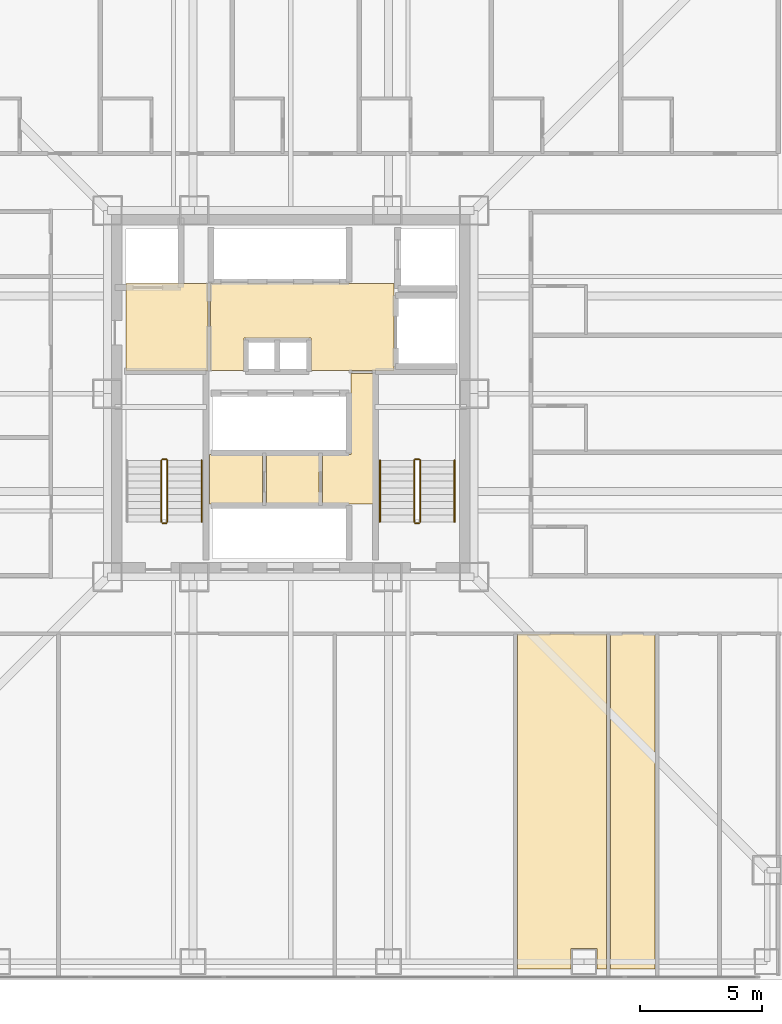
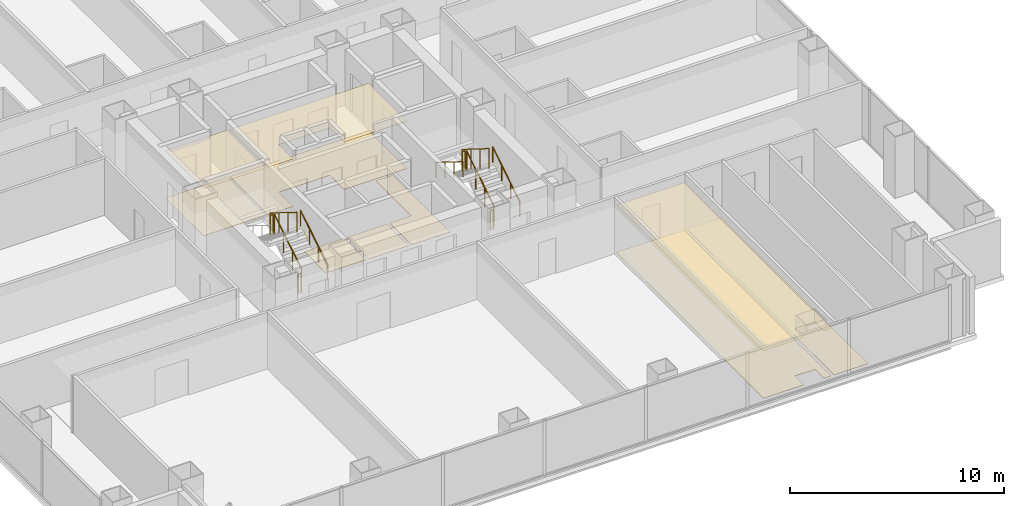
# One storey, part 15 of 16: 11 railings, 10 coverings.
"""IFC4 building model written with IfcOpenShell, lengths in metres."""

import ifcopenshell
import ifcopenshell.guid

model = None  # the IFC model being written
_history = None  # IfcOwnerHistory: only IFC2X3 demands one
_inside = {}  # id of a spatial element -> (the spatial element, [elements in it])
_under = {}  # id of a project, library or spatial element -> (it, [spatial elements below it])
_declared = {}  # id of a project -> (the project, [libraries it declares])
_typed = {}  # id of a type object -> (the type object, [elements of that type])
_made_of = {}  # id of a material, layer set ... -> (it, [elements and type objects made of it])


def new_model(schema):
    """Start an empty IFC model of exactly this schema.

    Asked for "IFC4X3", IfcOpenShell would pick the latest addendum, in which some entities
    have other attributes; the version numbers below select the first issue.
    IFC2X3 requires an IfcOwnerHistory on every rooted entity: one is made here for all.
    """
    global model, _history
    if schema == "IFC4X3":
        model = ifcopenshell.file(schema_version=(4, 3, 0, 0))
    else:
        model = ifcopenshell.file(schema=schema)
    _inside.clear()
    _under.clear()
    _declared.clear()
    _typed.clear()
    _made_of.clear()
    _history = None
    if model.schema == "IFC2X3":
        org = make("IfcOrganization", Name="unknown")
        user = make(
            "IfcPersonAndOrganization",
            ThePerson=make("IfcPerson", FamilyName="unknown"),
            TheOrganization=org,
        )
        app = make(
            "IfcApplication",
            ApplicationDeveloper=org,
            Version="unknown",
            ApplicationFullName="unknown",
            ApplicationIdentifier="unknown",
        )
        _history = make(
            "IfcOwnerHistory",
            OwningUser=user,
            OwningApplication=app,
            ChangeAction="ADDED",
            CreationDate=0,
        )
    return model


def make(cls, **values):
    """One entity of the class cls with the attributes given. An attribute that is None is left unset."""
    return model.create_entity(
        cls, **{name: value for name, value in values.items() if value is not None}
    )


def rooted(cls, **values):
    """An entity with a GlobalId (a new one), such as an element, a storey or a relation."""
    return make(cls, GlobalId=ifcopenshell.guid.new(), OwnerHistory=_history, **values)


def si_unit(unit_type, name, prefix=None):
    """IfcSIUnit, for example si_unit("LENGTHUNIT", "METRE", prefix="MILLI")."""
    return make("IfcSIUnit", UnitType=unit_type, Prefix=prefix, Name=name)


def assignment(units):
    """IfcUnitAssignment: the units of a project."""
    return None if units is None else make("IfcUnitAssignment", Units=units)


def point(xyz):
    """IfcCartesianPoint."""
    return None if xyz is None else make("IfcCartesianPoint", Coordinates=xyz)


def direction(xyz):
    """IfcDirection."""
    return None if xyz is None else make("IfcDirection", DirectionRatios=xyz)


def frame(location, z_axis=None, x_axis=None):
    """IfcAxis2Placement3D, a coordinate frame: its origin and axes. An axis left out is left unset."""
    return make(
        "IfcAxis2Placement3D",
        Location=point(location),
        Axis=direction(z_axis),
        RefDirection=direction(x_axis),
    )


def frame_2d(location, x_axis=None):
    """IfcAxis2Placement2D, a coordinate frame in the plane: its origin and x axis."""
    return make(
        "IfcAxis2Placement2D", Location=point(location), RefDirection=direction(x_axis)
    )


def origin():
    """The frame at (0, 0, 0) with its axes left unset."""
    return frame((0.0, 0.0, 0.0))


def origin_2d():
    """The frame at (0, 0) in the plane with its x axis left unset."""
    return frame_2d((0.0, 0.0))


def place(relative_to, where):
    """IfcLocalPlacement: puts the frame where relative to a parent placement (None: the world)."""
    return make(
        "IfcLocalPlacement", PlacementRelTo=relative_to, RelativePlacement=where
    )


def context(
    kind, dimensions, precision=None, world=None, true_north=None, identifier=None
):
    """IfcGeometricRepresentationContext, for example the 3D "Model" context."""
    return make(
        "IfcGeometricRepresentationContext",
        ContextIdentifier=identifier,
        ContextType=kind,
        CoordinateSpaceDimension=dimensions,
        Precision=precision,
        WorldCoordinateSystem=world,
        TrueNorth=true_north,
    )


def subcontext(parent, identifier, kind, view, scale=None):
    """IfcGeometricRepresentationSubContext, for example "Body" below "Model"."""
    return make(
        "IfcGeometricRepresentationSubContext",
        ContextIdentifier=identifier,
        ContextType=kind,
        ParentContext=parent,
        TargetScale=scale,
        TargetView=view,
    )


def project(units=None, contexts=None):
    """IfcProject with its units and contexts."""
    return rooted(
        "IfcProject",
        Name="project",
        RepresentationContexts=contexts,
        UnitsInContext=assignment(units),
    )


def spatial(cls, under=None, at=None, **own):
    """A site, building, storey or space (cls), placed at a placement, below another one or the project."""
    s = rooted(cls, ObjectPlacement=at, **own)
    if under is not None:
        _under.setdefault(under.id(), (under, []))[1].append(s)
    return s


def polyline(points):
    """IfcPolyline through the points."""
    return make("IfcPolyline", Points=[point(p) for p in points])


def profile(cls, at=None, kind="AREA", **sizes):
    """A parametric profile (cls). Its sizes go by their IFC names, for example OverallWidth=200.0."""
    return make(cls, ProfileType=kind, Position=at, **sizes)


def circle(**sizes):
    """IfcCircleProfileDef."""
    return profile("IfcCircleProfileDef", **sizes)


def outline(outer, holes=None, kind="AREA"):
    """IfcArbitraryClosedProfileDef: a profile drawn as a closed curve; with holes, ...WithVoids."""
    if holes is None:
        return make("IfcArbitraryClosedProfileDef", ProfileType=kind, OuterCurve=outer)
    return make(
        "IfcArbitraryProfileDefWithVoids",
        ProfileType=kind,
        OuterCurve=outer,
        InnerCurves=holes,
    )


def extrude(swept, where, along, depth):
    """IfcExtrudedAreaSolid: the profile swept, set in the frame where, extruded along a direction by depth."""
    return make(
        "IfcExtrudedAreaSolid",
        SweptArea=swept,
        Position=where,
        ExtrudedDirection=direction(along),
        Depth=depth,
    )


def shape(context_of_items, identifier, shape_type, items):
    """IfcShapeRepresentation: the items that make up one representation, for example the "Body"."""
    return make(
        "IfcShapeRepresentation",
        ContextOfItems=context_of_items,
        RepresentationIdentifier=identifier,
        RepresentationType=shape_type,
        Items=items,
    )


def material(Name=None, Category=None):
    """IfcMaterial."""
    return make("IfcMaterial", Name=Name, Category=Category)


def layer(
    of_material, thickness, ventilated=None, Name=None, Category=None, Priority=None
):
    """IfcMaterialLayer: one layer of a wall or slab, of a material (None: an air gap)."""
    return make(
        "IfcMaterialLayer",
        Material=of_material,
        LayerThickness=thickness,
        IsVentilated=ventilated,
        Name=Name,
        Category=Category,
        Priority=Priority,
    )


def layer_set(layers, Name=None):
    """IfcMaterialLayerSet."""
    return make("IfcMaterialLayerSet", MaterialLayers=layers, LayerSetName=Name)


def made_of(thing, what):
    """Note that an element or type object is made of a material, layer set ...; save() writes the relation."""
    if what is not None:
        _made_of.setdefault(what.id(), (what, []))[1].append(thing)
    return thing


def type_object(cls, material=None, **own):
    """A type object (cls), such as IfcWallType, which elements share."""
    return made_of(rooted(cls, **own), material)


def element(
    cls,
    number,
    at=None,
    inside=None,
    cuts=None,
    type_object=None,
    material=None,
    context=None,
    identifier="Body",
    shape_type=None,
    held_by="IfcProductDefinitionShape",
    body=None,
    shapes=None,
    **own,
):
    """One element of the class cls, such as IfcWall. Its Tag is "e" and its number.

    at: its placement. inside: the storey or other place that contains it. cuts: it is an
    opening in that element (IfcRelVoidsElement). A single representation is given by context,
    identifier, shape_type and body (its items); several are given by shapes. held_by: the class
    of the entity that holds the representations. save() writes the other relations.
    """
    e = rooted(cls, Tag="e%d" % number, ObjectPlacement=at, **own)
    if body is not None:
        shapes = [shape(context, identifier, shape_type, body)]
    if shapes is not None:
        e.Representation = make(held_by, Representations=shapes)
    if inside is not None:
        _inside.setdefault(inside.id(), (inside, []))[1].append(e)
    if cuts is not None:
        rooted(
            "IfcRelVoidsElement", RelatingBuildingElement=cuts, RelatedOpeningElement=e
        )
    if type_object is not None:
        _typed.setdefault(type_object.id(), (type_object, []))[1].append(e)
    return made_of(e, material)


def aggregate(whole, parts):
    """IfcRelAggregates: a whole, such as a stair, and the parts it consists of."""
    return rooted("IfcRelAggregates", RelatingObject=whole, RelatedObjects=parts)


def save(model, path):
    """Write the relations noted so far, then the file.

    IfcRelAggregates (storeys below a building ...), IfcRelContainedInSpatialStructure (elements
    in a storey), IfcRelDefinesByType, IfcRelAssociatesMaterial and IfcRelDeclares: one each for
    every whole, place, type object, material and project.
    """
    for whole, parts in _under.values():
        aggregate(whole, parts)
    for where, things in _inside.values():
        rooted(
            "IfcRelContainedInSpatialStructure",
            RelatedElements=things,
            RelatingStructure=where,
        )
    for kind, things in _typed.values():
        rooted("IfcRelDefinesByType", RelatedObjects=things, RelatingType=kind)
    for what, things in _made_of.values():
        rooted("IfcRelAssociatesMaterial", RelatedObjects=things, RelatingMaterial=what)
    for by, libraries in _declared.values():
        rooted("IfcRelDeclares", RelatingContext=by, RelatedDefinitions=libraries)
    model.write(path)


model = new_model("IFC4")

# Units and contexts
model_context = context("Model", 3, precision=1e-05, world=origin(), true_north=direction((0.0, 1.0)))
body_context = subcontext(model_context, "Body", "Model", "MODEL_VIEW")
ifc_project = project(units=[si_unit("LENGTHUNIT", "METRE"), si_unit("AREAUNIT", "SQUARE_METRE"), si_unit("VOLUMEUNIT", "CUBIC_METRE"), si_unit("PLANEANGLEUNIT", "RADIAN"), si_unit("MASSUNIT", "GRAM", prefix="KILO")], contexts=[model_context])

# Site, building, storey
site_placement = place(None, origin())
site = spatial("IfcSite", under=ifc_project, at=site_placement, CompositionType="ELEMENT")
building_placement = place(site_placement, origin())
building = spatial("IfcBuilding", under=site, at=building_placement, Name="Trevonay Congress Spire", CompositionType="ELEMENT")
storey_placement = place(building_placement, frame((0.0, 0.0, 72.5)))
storey = spatial("IfcBuildingStorey", under=building, at=storey_placement, Name="L18", CompositionType="ELEMENT", Elevation=72.5)

# Coverings
ifc_material_1 = material(Name="Acoustic Mineral Fibre Board", Category="gypsum")
ifc_layer_1 = layer(ifc_material_1, 0.02490234375, Name="Acoustic Mineral Fibre Board")
ifc_layer_set_1 = layer_set([ifc_layer_1], Name="Acoustic Mineral Fibre Board")
covering_type_1 = type_object("IfcCoveringType", Name="COV-CEIL-ACOUSTIC", PredefinedType="CEILING", material=ifc_layer_set_1)
covering_1_placement = place(storey_placement, frame((0.0, 0.0, 2.699951171875)))
element("IfcCovering", 1, at=covering_1_placement, inside=storey, type_object=covering_type_1, Name="L18 Firefighting Lift Lobby West acoustic suspended ceiling", PredefinedType="CEILING", context=body_context, shape_type="SweptSolid", body=[
    extrude(outline(polyline([(-6.75, 0.9599609375), (-3.3798828125, 0.9599609375), (-3.3798828125, 4.52001953125), (-6.75, 4.52001953125), (-6.75, 0.9599609375)])), origin(), (0.0, 0.0, 1.0), 0.025146484375),
])
covering_2_placement = place(storey_placement, frame((0.0, 0.0, 2.699951171875)))
element("IfcCovering", 2, at=covering_2_placement, inside=storey, type_object=covering_type_1, Name="L18 Central and High-Rise Passenger Lift Lobby acoustic suspended ceiling", PredefinedType="CEILING", context=body_context, shape_type="SweptSolid", body=[
    extrude(outline(polyline([(-3.280029296875, 0.949951171875), (-1.919921875, 0.949951171875), (-1.919921875, 2.280029296875), (0.820068359375, 2.280029296875), (0.820068359375, 0.949951171875), (4.219970703125, 0.949951171875), (4.219970703125, 4.52001953125), (-3.280029296875, 4.52001953125), (-3.280029296875, 0.949951171875)])), origin(), (0.0, 0.0, 1.0), 0.025146484375),
])
covering_3_placement = place(storey_placement, frame((0.0, 0.0, 2.699951171875)))
element("IfcCovering", 3, at=covering_3_placement, inside=storey, type_object=covering_type_1, Name="L18 Sommelier Pantry acoustic suspended ceiling", PredefinedType="CEILING", context=body_context, shape_type="SweptSolid", body=[
    extrude(outline(polyline([(9.280029296875, -23.550048828125), (9.280029296875, -9.830078125), (12.919921875, -9.830078125), (12.919921875, -23.550048828125), (12.534912109375, -23.550048828125), (12.534912109375, -22.715087890625), (11.465087890625, -22.715087890625), (11.465087890625, -23.550048828125), (9.280029296875, -23.550048828125)])), origin(), (0.0, 0.0, 1.0), 0.025146484375),
])
ifc_material_2 = material(Name="Polished Granite Floor Tile", Category="masonry")
ifc_layer_2 = layer(ifc_material_2, 0.02001953125, Name="Polished Granite Floor Tile")
ifc_layer_set_2 = layer_set([ifc_layer_2], Name="Polished Granite Floor Tile")
covering_type_2 = type_object("IfcCoveringType", Name="COV-FLOOR-STONE", PredefinedType="FLOORING", material=ifc_layer_set_2)
covering_4_placement = place(storey_placement, origin())
element("IfcCovering", 4, at=covering_4_placement, inside=storey, type_object=covering_type_2, Name="L18 Firefighting Lift Lobby West floor finish", PredefinedType="FLOORING", context=body_context, shape_type="SweptSolid", body=[
    extrude(outline(polyline([(-6.75, 0.9599609375), (-3.3798828125, 0.9599609375), (-3.3798828125, 4.52001953125), (-6.75, 4.52001953125), (-6.75, 0.9599609375)])), origin(), (0.0, 0.0, 1.0), 0.02001953125),
])
covering_5_placement = place(storey_placement, origin())
element("IfcCovering", 5, at=covering_5_placement, inside=storey, type_object=covering_type_2, Name="L18 Central and High-Rise Passenger Lift Lobby floor finish", PredefinedType="FLOORING", context=body_context, shape_type="SweptSolid", body=[
    extrude(outline(polyline([(-3.280029296875, 0.949951171875), (-1.919921875, 0.949951171875), (-1.919921875, 2.280029296875), (0.820068359375, 2.280029296875), (0.820068359375, 0.949951171875), (4.219970703125, 0.949951171875), (4.219970703125, 4.52001953125), (-3.280029296875, 4.52001953125), (-3.280029296875, 0.949951171875)])), origin(), (0.0, 0.0, 1.0), 0.02001953125),
])
covering_6_placement = place(storey_placement, origin())
element("IfcCovering", 6, at=covering_6_placement, inside=storey, type_object=covering_type_2, Name="L18 Floor IT Patch Room floor finish", PredefinedType="FLOORING", context=body_context, shape_type="SweptSolid", body=[
    extrude(outline(polyline([(-3.320068359375, -4.52001953125), (-1.14990234375, -4.52001953125), (-1.14990234375, -2.47998046875), (-3.320068359375, -2.47998046875), (-3.320068359375, -4.52001953125)])), origin(), (0.0, 0.0, 1.0), 0.02001953125),
])
covering_7_placement = place(storey_placement, origin())
element("IfcCovering", 7, at=covering_7_placement, inside=storey, type_object=covering_type_2, Name="L18 Janitor Store floor finish", PredefinedType="FLOORING", context=body_context, shape_type="SweptSolid", body=[
    extrude(outline(polyline([(-1.0, -4.52001953125), (1.14990234375, -4.52001953125), (1.14990234375, -2.47998046875), (-1.0, -2.47998046875), (-1.0, -4.52001953125)])), origin(), (0.0, 0.0, 1.0), 0.02001953125),
])
covering_8_placement = place(storey_placement, origin())
element("IfcCovering", 8, at=covering_8_placement, inside=storey, type_object=covering_type_2, Name="L18 Core Metering Room floor finish", PredefinedType="FLOORING", context=body_context, shape_type="SweptSolid", body=[
    extrude(outline(polyline([(1.300048828125, -4.52001953125), (3.3798828125, -4.52001953125), (3.3798828125, 0.820068359375), (2.4599609375, 0.820068359375), (2.4599609375, -2.47998046875), (1.300048828125, -2.47998046875), (1.300048828125, -4.52001953125)])), origin(), (0.0, 0.0, 1.0), 0.02001953125),
])
covering_9_placement = place(storey_placement, origin())
element("IfcCovering", 9, at=covering_9_placement, inside=storey, type_object=covering_type_2, Name="L18 Sommelier Pantry floor finish", PredefinedType="FLOORING", context=body_context, shape_type="SweptSolid", body=[
    extrude(outline(polyline([(9.280029296875, -23.550048828125), (9.280029296875, -9.830078125), (12.919921875, -9.830078125), (12.919921875, -23.550048828125), (12.534912109375, -23.550048828125), (12.534912109375, -22.715087890625), (11.465087890625, -22.715087890625), (11.465087890625, -23.550048828125), (9.280029296875, -23.550048828125)])), origin(), (0.0, 0.0, 1.0), 0.02001953125),
])
covering_10_placement = place(storey_placement, origin())
element("IfcCovering", 10, at=covering_10_placement, inside=storey, type_object=covering_type_2, Name="L18 Accessible WC floor finish", PredefinedType="FLOORING", context=body_context, shape_type="SweptSolid", body=[
    extrude(outline(polyline([(13.080078125, -23.550048828125), (14.919921875, -23.550048828125), (14.919921875, -9.830078125), (13.080078125, -9.830078125), (13.080078125, -23.550048828125)])), origin(), (0.0, 0.0, 1.0), 0.02001953125),
])

# Railings
ifc_material_3 = material(Name="Pale Anodised Aluminium EN AW-6063-T6", Category="aluminium")
railing_type_1 = type_object("IfcRailingType", Name="RAL-STAIR-GUARD-110", PredefinedType="GUARDRAIL", material=ifc_material_3)
railing_1_placement = place(storey_placement, frame((-5.050048828125, -5.25, 0.175048828125)))
element("IfcRailing", 11, at=railing_1_placement, inside=storey, type_object=railing_type_1, Name="L18 ST-1 stair guard 1", PredefinedType="GUARDRAIL", context=body_context, shape_type="SweptSolid", body=[
    extrude(circle(Radius=0.02392578125, at=origin_2d()), frame((0.0, 0.0, 1.1259765625), z_axis=(0.0, 0.848007534815, 0.529984170421), x_axis=(-1.0, 0.0, 0.0)), (0.0, 0.0, 1.0), 2.9716796875),
    extrude(circle(Radius=0.02099609375, at=origin_2d()), origin(), (0.0, 0.0, 1.0), 1.101806640625),
    extrude(circle(Radius=0.02099609375, at=origin_2d()), frame((0.0, 0.840087890625, 0.52490234375)), (0.0, 0.0, 1.0), 1.101806640625),
    extrude(circle(Radius=0.02099609375, at=origin_2d()), frame((0.0, 1.679931640625, 1.050048828125)), (0.0, 0.0, 1.0), 1.101806640625),
    extrude(circle(Radius=0.02099609375, at=origin_2d()), frame((0.0, 2.52001953125, 1.574951171875)), (0.0, 0.0, 1.0), 1.101806640625),
])
railing_2_placement = place(storey_placement, frame((-5.10009765625, -2.679931640625, 1.75)))
element("IfcRailing", 12, at=railing_2_placement, inside=storey, type_object=railing_type_1, Name="L18 ST-1 stair guard 2", PredefinedType="GUARDRAIL", context=body_context, shape_type="SweptSolid", body=[
    extrude(circle(Radius=0.02392578125, at=origin_2d()), frame((0.0, 0.0, 1.1259765625), z_axis=(-1.0, 0.0, 0.0), x_axis=(0.0, -1.0, 0.0)), (0.0, 0.0, 1.0), 0.14990234375),
    extrude(circle(Radius=0.02099609375, at=origin_2d()), origin(), (0.0, 0.0, 1.0), 1.101806640625),
    extrude(circle(Radius=0.02099609375, at=origin_2d()), frame((-0.14990234375, 0.0, 0.0)), (0.0, 0.0, 1.0), 1.101806640625),
])
railing_3_placement = place(storey_placement, frame((-5.300048828125, -2.72998046875, 1.925048828125)))
element("IfcRailing", 13, at=railing_3_placement, inside=storey, type_object=railing_type_1, Name="L18 ST-1 stair guard 3", PredefinedType="GUARDRAIL", context=body_context, shape_type="SweptSolid", body=[
    extrude(circle(Radius=0.02392578125, at=origin_2d()), frame((0.0, 0.0, 1.1259765625), z_axis=(0.0, -0.848007534815, 0.529984170421), x_axis=(1.0, 0.0, 0.0)), (0.0, 0.0, 1.0), 2.9716796875),
    extrude(circle(Radius=0.02099609375, at=origin_2d()), origin(), (0.0, 0.0, 1.0), 1.101806640625),
    extrude(circle(Radius=0.02099609375, at=origin_2d()), frame((0.0, -0.840087890625, 0.52490234375)), (0.0, 0.0, 1.0), 1.101806640625),
    extrude(circle(Radius=0.02099609375, at=origin_2d()), frame((0.0, -1.679931640625, 1.050048828125)), (0.0, 0.0, 1.0), 1.101806640625),
    extrude(circle(Radius=0.02099609375, at=origin_2d()), frame((0.0, -2.52001953125, 1.574951171875)), (0.0, 0.0, 1.0), 1.101806640625),
])
railing_4_placement = place(storey_placement, frame((-5.10009765625, -5.300048828125, 0.0)))
element("IfcRailing", 14, at=railing_4_placement, inside=storey, type_object=railing_type_1, Name="L18 ST-1 stair guard 4", PredefinedType="GUARDRAIL", context=body_context, shape_type="SweptSolid", body=[
    extrude(circle(Radius=0.02392578125, at=origin_2d()), frame((0.0, 0.0, 1.1259765625), z_axis=(-1.0, 0.0, 0.0), x_axis=(0.0, -1.0, 0.0)), (0.0, 0.0, 1.0), 0.14990234375),
    extrude(circle(Radius=0.02099609375, at=origin_2d()), origin(), (0.0, 0.0, 1.0), 1.101806640625),
    extrude(circle(Radius=0.02099609375, at=origin_2d()), frame((-0.14990234375, 0.0, 0.0)), (0.0, 0.0, 1.0), 1.101806640625),
])
railing_5_placement = place(storey_placement, frame((5.300048828125, -5.25, 0.175048828125)))
element("IfcRailing", 15, at=railing_5_placement, inside=storey, type_object=railing_type_1, Name="L18 ST-2 stair guard 1", PredefinedType="GUARDRAIL", context=body_context, shape_type="SweptSolid", body=[
    extrude(circle(Radius=0.02392578125, at=origin_2d()), frame((0.0, 0.0, 1.1259765625), z_axis=(0.0, 0.848007534815, 0.529984170421), x_axis=(-1.0, 0.0, 0.0)), (0.0, 0.0, 1.0), 2.9716796875),
    extrude(circle(Radius=0.02099609375, at=origin_2d()), origin(), (0.0, 0.0, 1.0), 1.101806640625),
    extrude(circle(Radius=0.02099609375, at=origin_2d()), frame((0.0, 0.840087890625, 0.52490234375)), (0.0, 0.0, 1.0), 1.101806640625),
    extrude(circle(Radius=0.02099609375, at=origin_2d()), frame((0.0, 1.679931640625, 1.050048828125)), (0.0, 0.0, 1.0), 1.101806640625),
    extrude(circle(Radius=0.02099609375, at=origin_2d()), frame((0.0, 2.52001953125, 1.574951171875)), (0.0, 0.0, 1.0), 1.101806640625),
])
railing_6_placement = place(storey_placement, frame((5.25, -2.679931640625, 1.75)))
element("IfcRailing", 16, at=railing_6_placement, inside=storey, type_object=railing_type_1, Name="L18 ST-2 stair guard 2", PredefinedType="GUARDRAIL", context=body_context, shape_type="SweptSolid", body=[
    extrude(circle(Radius=0.02392578125, at=origin_2d()), frame((0.0, 0.0, 1.1259765625), z_axis=(-1.0, 0.0, 0.0), x_axis=(0.0, -1.0, 0.0)), (0.0, 0.0, 1.0), 0.14990234375),
    extrude(circle(Radius=0.02099609375, at=origin_2d()), origin(), (0.0, 0.0, 1.0), 1.101806640625),
    extrude(circle(Radius=0.02099609375, at=origin_2d()), frame((-0.14990234375, 0.0, 0.0)), (0.0, 0.0, 1.0), 1.101806640625),
])
railing_7_placement = place(storey_placement, frame((5.050048828125, -2.72998046875, 1.925048828125)))
element("IfcRailing", 17, at=railing_7_placement, inside=storey, type_object=railing_type_1, Name="L18 ST-2 stair guard 3", PredefinedType="GUARDRAIL", context=body_context, shape_type="SweptSolid", body=[
    extrude(circle(Radius=0.02392578125, at=origin_2d()), frame((0.0, 0.0, 1.1259765625), z_axis=(0.0, -0.848007534815, 0.529984170421), x_axis=(1.0, 0.0, 0.0)), (0.0, 0.0, 1.0), 2.9716796875),
    extrude(circle(Radius=0.02099609375, at=origin_2d()), origin(), (0.0, 0.0, 1.0), 1.101806640625),
    extrude(circle(Radius=0.02099609375, at=origin_2d()), frame((0.0, -0.840087890625, 0.52490234375)), (0.0, 0.0, 1.0), 1.101806640625),
    extrude(circle(Radius=0.02099609375, at=origin_2d()), frame((0.0, -1.679931640625, 1.050048828125)), (0.0, 0.0, 1.0), 1.101806640625),
    extrude(circle(Radius=0.02099609375, at=origin_2d()), frame((0.0, -2.52001953125, 1.574951171875)), (0.0, 0.0, 1.0), 1.101806640625),
])
railing_8_placement = place(storey_placement, frame((5.25, -5.300048828125, 0.0)))
element("IfcRailing", 18, at=railing_8_placement, inside=storey, type_object=railing_type_1, Name="L18 ST-2 stair guard 4", PredefinedType="GUARDRAIL", context=body_context, shape_type="SweptSolid", body=[
    extrude(circle(Radius=0.02392578125, at=origin_2d()), frame((0.0, 0.0, 1.1259765625), z_axis=(-1.0, 0.0, 0.0), x_axis=(0.0, -1.0, 0.0)), (0.0, 0.0, 1.0), 0.14990234375),
    extrude(circle(Radius=0.02099609375, at=origin_2d()), origin(), (0.0, 0.0, 1.0), 1.101806640625),
    extrude(circle(Radius=0.02099609375, at=origin_2d()), frame((-0.14990234375, 0.0, 0.0)), (0.0, 0.0, 1.0), 1.101806640625),
])
railing_type_2 = type_object("IfcRailingType", Name="RAL-STAIR-HANDRAIL", PredefinedType="HANDRAIL", material=ifc_material_3)
for number, where, name in (
    (19, (-3.64990234375, -5.25, 0.175048828125), "L18 ST-1 stair handrail 1"),
    (20, (6.699951171875, -5.25, 0.175048828125), "L18 ST-2 stair handrail 1"),
):
    element("IfcRailing", number, at=place(storey_placement, frame(where)), inside=storey, type_object=railing_type_2, Name=name, PredefinedType="HANDRAIL", context=body_context, shape_type="SweptSolid", body=[
        extrude(circle(Radius=0.02392578125, at=origin_2d()), frame((0.0, 0.0, 0.8759765625), z_axis=(0.0, 0.848007534815, 0.529984170421), x_axis=(-1.0, 0.0, 0.0)), (0.0, 0.0, 1.0), 2.9716796875),
        extrude(circle(Radius=0.02099609375, at=origin_2d()), origin(), (0.0, 0.0, 1.0), 0.851806640625),
        extrude(circle(Radius=0.02099609375, at=origin_2d()), frame((0.0, 0.840087890625, 0.52490234375)), (0.0, 0.0, 1.0), 0.851806640625),
        extrude(circle(Radius=0.02099609375, at=origin_2d()), frame((0.0, 1.679931640625, 1.050048828125)), (0.0, 0.0, 1.0), 0.851806640625),
        extrude(circle(Radius=0.02099609375, at=origin_2d()), frame((0.0, 2.52001953125, 1.574951171875)), (0.0, 0.0, 1.0), 0.851806640625),
    ])
railing_9_placement = place(storey_placement, frame((3.64990234375, -2.72998046875, 1.925048828125)))
element("IfcRailing", 21, at=railing_9_placement, inside=storey, type_object=railing_type_2, Name="L18 ST-2 stair handrail 2", PredefinedType="HANDRAIL", context=body_context, shape_type="SweptSolid", body=[
    extrude(circle(Radius=0.02392578125, at=origin_2d()), frame((0.0, 0.0, 0.8759765625), z_axis=(0.0, -0.848007534815, 0.529984170421), x_axis=(1.0, 0.0, 0.0)), (0.0, 0.0, 1.0), 2.9716796875),
    extrude(circle(Radius=0.02099609375, at=origin_2d()), origin(), (0.0, 0.0, 1.0), 0.851806640625),
    extrude(circle(Radius=0.02099609375, at=origin_2d()), frame((0.0, -0.840087890625, 0.52490234375)), (0.0, 0.0, 1.0), 0.851806640625),
    extrude(circle(Radius=0.02099609375, at=origin_2d()), frame((0.0, -1.679931640625, 1.050048828125)), (0.0, 0.0, 1.0), 0.851806640625),
    extrude(circle(Radius=0.02099609375, at=origin_2d()), frame((0.0, -2.52001953125, 1.574951171875)), (0.0, 0.0, 1.0), 0.851806640625),
])

save(model, "model.ifc")
